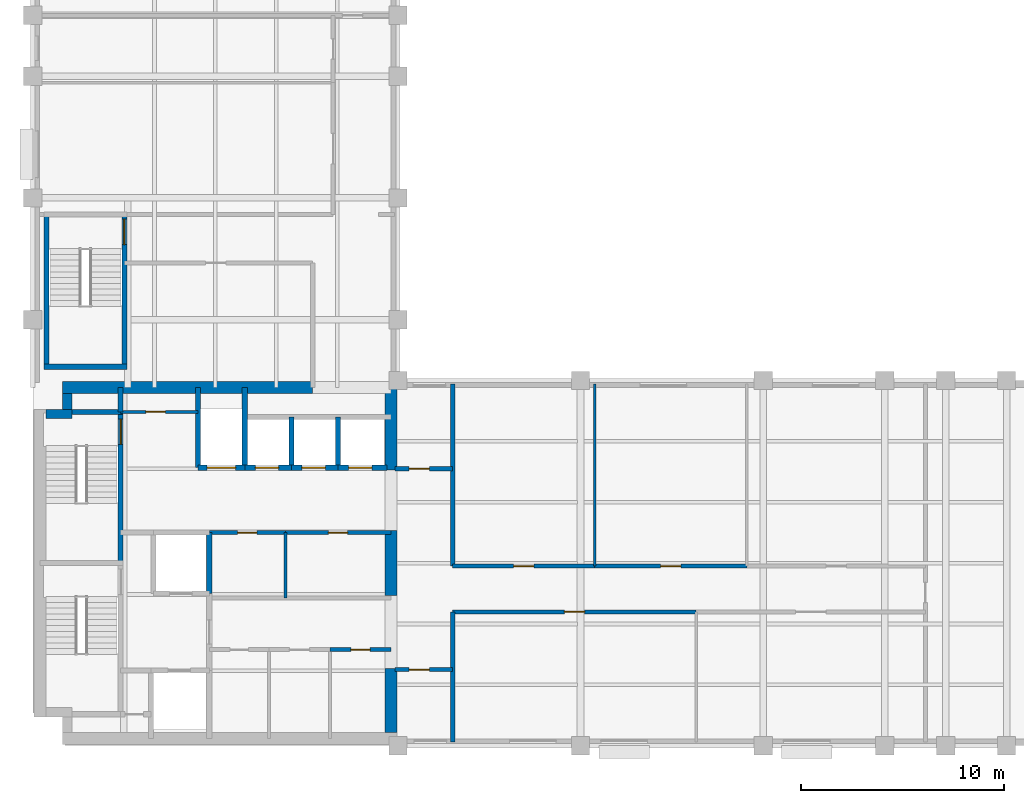
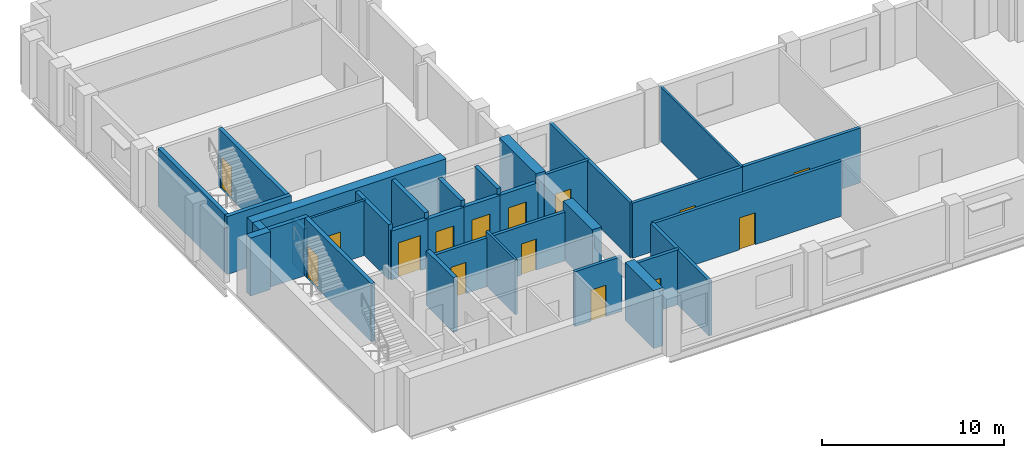
# One storey, part 3 of 7: 34 walls, 15 doors, 15 openings.
"""IFC4 building model written with IfcOpenShell, lengths in metres."""

from ifc_helpers import new_model, si_unit, direction, frame, frame_2d, origin, place, context, subcontext, project, spatial, rectangle, extrude, material, layer, layer_set, type_object, element, fill, save


model = new_model("IFC4")

# Units and contexts
model_context = context("Model", 3, precision=1e-05, world=origin(), true_north=direction((0.0, 1.0)))
body_context = subcontext(model_context, "Body", "Model", "MODEL_VIEW")
ifc_project = project(units=[si_unit("LENGTHUNIT", "METRE"), si_unit("AREAUNIT", "SQUARE_METRE"), si_unit("VOLUMEUNIT", "CUBIC_METRE"), si_unit("PLANEANGLEUNIT", "RADIAN"), si_unit("MASSUNIT", "GRAM", prefix="KILO")], contexts=[model_context])

# Site, building, storey
site_placement = place(None, origin())
site = spatial("IfcSite", under=ifc_project, at=site_placement, CompositionType="ELEMENT")
building_placement = place(site_placement, origin())
building = spatial("IfcBuilding", under=site, at=building_placement, Name="Mawjdan Bourse Tower", CompositionType="ELEMENT")
storey_placement = place(building_placement, frame((0.0, 0.0, 168.300048828125)))
storey = spatial("IfcBuildingStorey", under=building, at=storey_placement, Name="L40", CompositionType="ELEMENT", Elevation=168.300048828125)

# Wall, opening, door
ifc_material_1 = material(Name="Gypsum Fireboard Assembly")
ifc_layer_1 = layer(ifc_material_1, 0.199951171875)
ifc_layer_set_1 = layer_set([ifc_layer_1], Name="Gypsum Fireboard Assembly")
wall_type_1 = type_object("IfcWallType", Name="WL-CMP-200", PredefinedType="PARTITIONING", material=ifc_layer_set_1)
wall_1_placement = place(storey_placement, frame((20.64990234375, 7.739990234375, 0.0), z_axis=(0.0, 0.0, 1.0), x_axis=(1.0, 0.0, 0.0)))
wall_1 = element("IfcWall", 1, at=wall_1_placement, inside=storey, type_object=wall_type_1, Name="L40 Staff Refreshment Pantry North Wall", PredefinedType="PARTITIONING", context=body_context, shape_type="SweptSolid", body=[
    extrude(rectangle(XDim=3.0, YDim=0.199951171875, at=frame_2d((1.5, 0.0))), origin(), (0.0, 0.0, 1.0), 3.68994140625),
])
opening_1_placement = place(wall_1_placement, frame((1.02490234375, 0.0, 0.0)))
opening_1 = element("IfcOpeningElement", 2, at=opening_1_placement, cuts=wall_1, Name="Opening D-L40-15", PredefinedType="OPENING", context=body_context, shape_type="SweptSolid", body=[
    extrude(rectangle(XDim=0.949951171875, YDim=2.10009765625, at=frame_2d((0.47509765625, 1.050048828125))), frame((0.0, 0.10986328125, 0.0), z_axis=(0.0, -1.0, 0.0), x_axis=(1.0, 0.0, 0.0)), (0.0, 0.0, 1.0), 0.219970703125),
])
ifc_material_2 = material(Name="Moisture-Resistant Laminate Timber", Category="wood")
door_type_1 = type_object("IfcDoorType", Name="DR-WET-0950", OperationType="NOTDEFINED", PredefinedType="DOOR", material=ifc_material_2)
door_1_placement = place(opening_1_placement, origin())
door_1 = element("IfcDoor", 3, at=door_1_placement, inside=storey, type_object=door_type_1, Name="L40 Staff Refreshment Pantry Door D-L40-15", OperationType="SINGLE_SWING_LEFT", OverallHeight=2.10009765625, OverallWidth=0.949951171875, PredefinedType="DOOR", context=body_context, shape_type="SweptSolid", body=[
    extrude(rectangle(XDim=0.949951171875, YDim=2.10009765625, at=frame_2d((0.47509765625, 1.050048828125))), frame((0.0, 0.02490234375, 0.0), z_axis=(0.0, -1.0, 0.0), x_axis=(1.0, 0.0, 0.0)), (0.0, 0.0, 1.0), 0.050048828125),
])
fill(opening_1, door_1)

wall_2_placement = place(storey_placement, frame((14.699951171875, 13.5, 0.0), z_axis=(0.0, 0.0, 1.0), x_axis=(1.0, 0.0, 0.0)))
wall_2 = element("IfcWall", 4, at=wall_2_placement, inside=storey, type_object=wall_type_1, Name="L40 Female Restroom North Wall", PredefinedType="PARTITIONING", context=body_context, shape_type="SweptSolid", body=[
    extrude(rectangle(XDim=3.75, YDim=0.199951171875, at=frame_2d((1.875, 0.0))), origin(), (0.0, 0.0, 1.0), 3.282958984375),
])
opening_2_placement = place(wall_2_placement, frame((1.39990234375, 0.0, 0.0)))
opening_2 = element("IfcOpeningElement", 5, at=opening_2_placement, cuts=wall_2, Name="Opening D-L40-16", PredefinedType="OPENING", context=body_context, shape_type="SweptSolid", body=[
    extrude(rectangle(XDim=0.949951171875, YDim=2.10009765625, at=frame_2d((0.47509765625, 1.050048828125))), frame((0.0, 0.10986328125, 0.0), z_axis=(0.0, -1.0, 0.0), x_axis=(1.0, 0.0, 0.0)), (0.0, 0.0, 1.0), 0.219970703125),
])
door_2_placement = place(opening_2_placement, origin())
door_2 = element("IfcDoor", 6, at=door_2_placement, inside=storey, type_object=door_type_1, Name="L40 Female Restroom Door D-L40-16", OperationType="SINGLE_SWING_RIGHT", OverallHeight=2.10009765625, OverallWidth=0.949951171875, PredefinedType="DOOR", context=body_context, shape_type="SweptSolid", body=[
    extrude(rectangle(XDim=0.949951171875, YDim=2.10009765625, at=frame_2d((0.47509765625, 1.050048828125))), frame((0.0, 0.02490234375, 0.0), z_axis=(0.0, -1.0, 0.0), x_axis=(1.0, 0.0, 0.0)), (0.0, 0.0, 1.0), 0.050048828125),
])
fill(opening_2, door_2)

wall_3_placement = place(storey_placement, frame((18.449951171875, 13.5, 0.0), z_axis=(0.0, 0.0, 1.0), x_axis=(1.0, 0.0, 0.0)))
wall_3 = element("IfcWall", 7, at=wall_3_placement, inside=storey, type_object=wall_type_1, Name="L40 Accessible WC North Wall", PredefinedType="PARTITIONING", context=body_context, shape_type="SweptSolid", body=[
    extrude(rectangle(XDim=5.199951171875, YDim=0.199951171875, at=frame_2d((2.60009765625, 0.0))), origin(), (0.0, 0.0, 1.0), 3.282958984375),
])
opening_3_placement = place(wall_3_placement, frame((2.125, 0.0, 0.0)))
opening_3 = element("IfcOpeningElement", 8, at=opening_3_placement, cuts=wall_3, Name="Opening D-L40-17", PredefinedType="OPENING", context=body_context, shape_type="SweptSolid", body=[
    extrude(rectangle(XDim=0.949951171875, YDim=2.10009765625, at=frame_2d((0.47509765625, 1.050048828125))), frame((0.0, 0.10986328125, 0.0), z_axis=(0.0, -1.0, 0.0), x_axis=(1.0, 0.0, 0.0)), (0.0, 0.0, 1.0), 0.219970703125),
])
door_3_placement = place(opening_3_placement, origin())
door_3 = element("IfcDoor", 9, at=door_3_placement, inside=storey, type_object=door_type_1, Name="L40 Accessible WC Door D-L40-17", OperationType="SINGLE_SWING_LEFT", OverallHeight=2.10009765625, OverallWidth=0.949951171875, PredefinedType="DOOR", context=body_context, shape_type="SweptSolid", body=[
    extrude(rectangle(XDim=0.949951171875, YDim=2.10009765625, at=frame_2d((0.47509765625, 1.050048828125))), frame((0.0, 0.02490234375, 0.0), z_axis=(0.0, -1.0, 0.0), x_axis=(1.0, 0.0, 0.0)), (0.0, 0.0, 1.0), 0.050048828125),
])
fill(opening_3, door_3)

wall_4_placement = place(storey_placement, frame((23.85009765625, 6.75, 0.0), z_axis=(0.0, 0.0, 1.0), x_axis=(1.0, 0.0, 0.0)))
wall_4 = element("IfcWall", 10, at=wall_4_placement, inside=storey, type_object=wall_type_1, Name="L40 West Pocket North Wall", PredefinedType="PARTITIONING", context=body_context, shape_type="SweptSolid", body=[
    extrude(rectangle(XDim=2.849853515625, YDim=0.199951171875, at=frame_2d((1.4248046875, 0.0))), origin(), (0.0, 0.0, 1.0), 3.68994140625),
])
opening_4_placement = place(wall_4_placement, frame((0.699951171875, 0.0, 0.0)))
opening_4 = element("IfcOpeningElement", 11, at=opening_4_placement, cuts=wall_4, Name="Opening D-L40-20", PredefinedType="OPENING", context=body_context, shape_type="SweptSolid", body=[
    extrude(rectangle(XDim=1.0, YDim=2.14990234375, at=frame_2d((0.5, 1.074951171875))), frame((0.0, 0.10986328125, 0.0), z_axis=(0.0, -1.0, 0.0), x_axis=(1.0, 0.0, 0.0)), (0.0, 0.0, 1.0), 0.219970703125),
])
ifc_material_3 = material(Name="Hardwood Acoustic Leaf", Category="wood")
door_type_2 = type_object("IfcDoorType", Name="DR-OFC-1000", OperationType="NOTDEFINED", PredefinedType="DOOR", material=ifc_material_3)
door_4_placement = place(opening_4_placement, origin())
door_4 = element("IfcDoor", 12, at=door_4_placement, inside=storey, type_object=door_type_2, Name="L40 West Pocket Office Door D-L40-20", OperationType="SINGLE_SWING_RIGHT", OverallHeight=2.14990234375, OverallWidth=1.0, PredefinedType="DOOR", context=body_context, shape_type="SweptSolid", body=[
    extrude(rectangle(XDim=1.0, YDim=2.14990234375, at=frame_2d((0.5, 1.074951171875))), frame((0.0, 0.02490234375, 0.0), z_axis=(0.0, -1.0, 0.0), x_axis=(1.0, 0.0, 0.0)), (0.0, 0.0, 1.0), 0.050048828125),
])
fill(opening_4, door_4)

wall_5_placement = place(storey_placement, frame((23.85009765625, 16.64990234375, 0.0), z_axis=(0.0, 0.0, 1.0), x_axis=(1.0, 0.0, 0.0)))
wall_5 = element("IfcWall", 13, at=wall_5_placement, inside=storey, type_object=wall_type_1, Name="L40 West North Pocket Wall", PredefinedType="PARTITIONING", context=body_context, shape_type="SweptSolid", body=[
    extrude(rectangle(XDim=2.849853515625, YDim=0.199951171875, at=frame_2d((1.4248046875, 0.0))), origin(), (0.0, 0.0, 1.0), 3.68994140625),
])
opening_5_placement = place(wall_5_placement, frame((0.699951171875, 0.0, 0.0)))
opening_5 = element("IfcOpeningElement", 14, at=opening_5_placement, cuts=wall_5, Name="Opening D-L40-21", PredefinedType="OPENING", context=body_context, shape_type="SweptSolid", body=[
    extrude(rectangle(XDim=1.0, YDim=2.14990234375, at=frame_2d((0.5, 1.074951171875))), frame((0.0, 0.10986328125, 0.0), z_axis=(0.0, -1.0, 0.0), x_axis=(1.0, 0.0, 0.0)), (0.0, 0.0, 1.0), 0.219970703125),
])
door_5_placement = place(opening_5_placement, origin())
door_5 = element("IfcDoor", 15, at=door_5_placement, inside=storey, type_object=door_type_2, Name="L40 West North Pocket Door D-L40-21", OperationType="SINGLE_SWING_LEFT", OverallHeight=2.14990234375, OverallWidth=1.0, PredefinedType="DOOR", context=body_context, shape_type="SweptSolid", body=[
    extrude(rectangle(XDim=1.0, YDim=2.14990234375, at=frame_2d((0.5, 1.074951171875))), frame((0.0, 0.02490234375, 0.0), z_axis=(0.0, -1.0, 0.0), x_axis=(1.0, 0.0, 0.0)), (0.0, 0.0, 1.0), 0.050048828125),
])
fill(opening_5, door_5)

# Walls
wall_6_placement = place(storey_placement, frame((26.699951171875, 3.179931640625, 0.0), z_axis=(0.0, 0.0, 1.0), x_axis=(0.0, 1.0, 0.0)))
element("IfcWall", 16, at=wall_6_placement, inside=storey, type_object=wall_type_1, Name="L40 Vestibule South East Wall", PredefinedType="PARTITIONING", context=body_context, shape_type="SweptSolid", body=[
    extrude(rectangle(XDim=6.420166015625, YDim=0.199951171875, at=frame_2d((3.2099609375, 0.0))), origin(), (0.0, 0.0, 1.0), 3.68994140625),
])
wall_7_placement = place(storey_placement, frame((26.699951171875, 11.85009765625, 0.0), z_axis=(0.0, 0.0, 1.0), x_axis=(0.0, 1.0, 0.0)))
element("IfcWall", 17, at=wall_7_placement, inside=storey, type_object=wall_type_1, Name="L40 Vestibule North East Wall", PredefinedType="PARTITIONING", context=body_context, shape_type="SweptSolid", body=[
    extrude(rectangle(XDim=8.969970703125, YDim=0.199951171875, at=frame_2d((4.48486328125, 0.0))), origin(), (0.0, 0.0, 1.0), 3.68994140625),
])

# Wall, opening, door
wall_8_placement = place(storey_placement, frame((26.699951171875, 9.60009765625, 0.0), z_axis=(0.0, 0.0, 1.0), x_axis=(1.0, 0.0, 0.0)))
wall_8 = element("IfcWall", 18, at=wall_8_placement, inside=storey, type_object=wall_type_1, Name="L40 Central Clearing Suite Corridor Wall", PredefinedType="PARTITIONING", context=body_context, shape_type="SweptSolid", body=[
    extrude(rectangle(XDim=12.0, YDim=0.199951171875, at=frame_2d((6.0, 0.0))), origin(), (0.0, 0.0, 1.0), 3.68994140625),
])
opening_6_placement = place(wall_8_placement, frame((5.5, 0.0, 0.0)))
opening_6 = element("IfcOpeningElement", 19, at=opening_6_placement, cuts=wall_8, Name="Opening D-L40-22", PredefinedType="OPENING", context=body_context, shape_type="SweptSolid", body=[
    extrude(rectangle(XDim=1.0, YDim=2.14990234375, at=frame_2d((0.5, 1.074951171875))), frame((0.0, 0.10986328125, 0.0), z_axis=(0.0, -1.0, 0.0), x_axis=(1.0, 0.0, 0.0)), (0.0, 0.0, 1.0), 0.219970703125),
])
door_6_placement = place(opening_6_placement, origin())
door_6 = element("IfcDoor", 20, at=door_6_placement, inside=storey, type_object=door_type_2, Name="L40 Central Clearing Suite Door D-L40-22", OperationType="SINGLE_SWING_RIGHT", OverallHeight=2.14990234375, OverallWidth=1.0, PredefinedType="DOOR", context=body_context, shape_type="SweptSolid", body=[
    extrude(rectangle(XDim=1.0, YDim=2.14990234375, at=frame_2d((0.5, 1.074951171875))), frame((0.0, 0.02490234375, 0.0), z_axis=(0.0, -1.0, 0.0), x_axis=(1.0, 0.0, 0.0)), (0.0, 0.0, 1.0), 0.050048828125),
])
fill(opening_6, door_6)

wall_9_placement = place(storey_placement, frame((26.699951171875, 11.85009765625, 0.0), z_axis=(0.0, 0.0, 1.0), x_axis=(1.0, 0.0, 0.0)))
wall_9 = element("IfcWall", 21, at=wall_9_placement, inside=storey, type_object=wall_type_1, Name="L40 Executive Office Corridor Wall", PredefinedType="PARTITIONING", context=body_context, shape_type="SweptSolid", body=[
    extrude(rectangle(XDim=7.0, YDim=0.199951171875, at=frame_2d((3.5, 0.0))), origin(), (0.0, 0.0, 1.0), 3.68994140625),
])
opening_7_placement = place(wall_9_placement, frame((3.0, 0.0, 0.0)))
opening_7 = element("IfcOpeningElement", 22, at=opening_7_placement, cuts=wall_9, Name="Opening D-L40-24", PredefinedType="OPENING", context=body_context, shape_type="SweptSolid", body=[
    extrude(rectangle(XDim=1.0, YDim=2.14990234375, at=frame_2d((0.5, 1.074951171875))), frame((0.0, 0.10986328125, 0.0), z_axis=(0.0, -1.0, 0.0), x_axis=(1.0, 0.0, 0.0)), (0.0, 0.0, 1.0), 0.219970703125),
])
door_7_placement = place(opening_7_placement, origin())
door_7 = element("IfcDoor", 23, at=door_7_placement, inside=storey, type_object=door_type_2, Name="L40 Executive Office Door D-L40-24", OperationType="SINGLE_SWING_LEFT", OverallHeight=2.14990234375, OverallWidth=1.0, PredefinedType="DOOR", context=body_context, shape_type="SweptSolid", body=[
    extrude(rectangle(XDim=1.0, YDim=2.14990234375, at=frame_2d((0.5, 1.074951171875))), frame((0.0, 0.02490234375, 0.0), z_axis=(0.0, -1.0, 0.0), x_axis=(1.0, 0.0, 0.0)), (0.0, 0.0, 1.0), 0.050048828125),
])
fill(opening_7, door_7)

wall_10_placement = place(storey_placement, frame((33.699951171875, 11.85009765625, 0.0), z_axis=(0.0, 0.0, 1.0), x_axis=(1.0, 0.0, 0.0)))
wall_10 = element("IfcWall", 24, at=wall_10_placement, inside=storey, type_object=wall_type_1, Name="L40 Settlement Risk Office Corridor Wall", PredefinedType="PARTITIONING", context=body_context, shape_type="SweptSolid", body=[
    extrude(rectangle(XDim=7.5, YDim=0.199951171875, at=frame_2d((3.75, 0.0))), origin(), (0.0, 0.0, 1.0), 3.68994140625),
])
opening_8_placement = place(wall_10_placement, frame((3.25, 0.0, 0.0)))
opening_8 = element("IfcOpeningElement", 25, at=opening_8_placement, cuts=wall_10, Name="Opening D-L40-25", PredefinedType="OPENING", context=body_context, shape_type="SweptSolid", body=[
    extrude(rectangle(XDim=1.0, YDim=2.14990234375, at=frame_2d((0.5, 1.074951171875))), frame((0.0, 0.10986328125, 0.0), z_axis=(0.0, -1.0, 0.0), x_axis=(1.0, 0.0, 0.0)), (0.0, 0.0, 1.0), 0.219970703125),
])
door_8_placement = place(opening_8_placement, origin())
door_8 = element("IfcDoor", 26, at=door_8_placement, inside=storey, type_object=door_type_2, Name="L40 Settlement Risk Office Door D-L40-25", OperationType="SINGLE_SWING_RIGHT", OverallHeight=2.14990234375, OverallWidth=1.0, PredefinedType="DOOR", context=body_context, shape_type="SweptSolid", body=[
    extrude(rectangle(XDim=1.0, YDim=2.14990234375, at=frame_2d((0.5, 1.074951171875))), frame((0.0, 0.02490234375, 0.0), z_axis=(0.0, -1.0, 0.0), x_axis=(1.0, 0.0, 0.0)), (0.0, 0.0, 1.0), 0.050048828125),
])
fill(opening_8, door_8)

# Walls
ifc_material_4 = material(Name="Concrete C60/75", Category="concrete")
ifc_layer_2 = layer(ifc_material_4, 0.449951171875)
ifc_layer_set_2 = layer_set([ifc_layer_2], Name="Concrete C60/75")
wall_type_2 = type_object("IfcWallType", Name="WL-CORE-450", PredefinedType="SHEAR", material=ifc_layer_set_2)
wall_11_placement = place(storey_placement, frame((6.64990234375, 19.35009765625, 0.0), z_axis=(0.0, 0.0, 1.0), x_axis=(1.0, 0.0, 0.0)))
element("IfcWall", 27, at=wall_11_placement, inside=storey, type_object=wall_type_2, Name="L40 Rear Core Shear Wall NW-X", PredefinedType="SHEAR", context=body_context, shape_type="SweptSolid", body=[
    extrude(rectangle(XDim=1.275146484375, YDim=0.449951171875, at=frame_2d((0.6376953125, 0.0))), origin(), (0.0, 0.0, 1.0), 3.89990234375),
])
wall_12_placement = place(storey_placement, frame((7.699951171875, 19.574951171875, 0.0), z_axis=(0.0, 0.0, 1.0), x_axis=(0.0, 1.0, 0.0)))
element("IfcWall", 28, at=wall_12_placement, inside=storey, type_object=wall_type_2, Name="L40 Rear Core Shear Wall NW-Y", PredefinedType="SHEAR", context=body_context, shape_type="SweptSolid", body=[
    extrude(rectangle(XDim=0.775146484375, YDim=0.449951171875, at=frame_2d((0.3876953125, 0.0))), origin(), (0.0, 0.0, 1.0), 3.89990234375),
])
ifc_material_5 = material(Name="Concrete C70/85", Category="concrete")
ifc_layer_3 = layer(ifc_material_5, 0.60009765625)
ifc_layer_set_3 = layer_set([ifc_layer_3], Name="Concrete C70/85")
wall_type_3 = type_object("IfcWallType", Name="WL-CORE-600", PredefinedType="SHEAR", material=ifc_layer_set_3)
wall_13_placement = place(storey_placement, frame((7.47509765625, 20.64990234375, 0.0), z_axis=(0.0, 0.0, 1.0), x_axis=(1.0, 0.0, 0.0)))
element("IfcWall", 29, at=wall_13_placement, inside=storey, type_object=wall_type_3, Name="L40 Rear Core Shear Wall N", PredefinedType="SHEAR", context=body_context, shape_type="SweptSolid", body=[
    extrude(rectangle(XDim=12.324951171875, YDim=0.60009765625, at=frame_2d((6.16259765625, 0.0))), origin(), (0.0, 0.0, 1.0), 3.89990234375),
])
wall_14_placement = place(storey_placement, frame((23.64990234375, 3.64990234375, 0.0), z_axis=(0.0, 0.0, 1.0), x_axis=(0.0, 1.0, 0.0)))
element("IfcWall", 30, at=wall_14_placement, inside=storey, type_object=wall_type_3, Name="L40 Rear Core Shear Wall E1", PredefinedType="SHEAR", context=body_context, shape_type="SweptSolid", body=[
    extrude(rectangle(XDim=3.150146484375, YDim=0.60009765625, at=frame_2d((1.5751953125, 0.0))), origin(), (0.0, 0.0, 1.0), 3.89990234375),
])
wall_15_placement = place(storey_placement, frame((23.64990234375, 10.39990234375, 0.0), z_axis=(0.0, 0.0, 1.0), x_axis=(0.0, 1.0, 0.0)))
element("IfcWall", 31, at=wall_15_placement, inside=storey, type_object=wall_type_3, Name="L40 Rear Core Shear Wall E2", PredefinedType="SHEAR", context=body_context, shape_type="SweptSolid", body=[
    extrude(rectangle(XDim=3.2001953125, YDim=0.60009765625, at=frame_2d((1.60009765625, 0.0))), origin(), (0.0, 0.0, 1.0), 3.89990234375),
])
wall_16_placement = place(storey_placement, frame((23.64990234375, 16.60009765625, 0.0), z_axis=(0.0, 0.0, 1.0), x_axis=(0.0, 1.0, 0.0)))
element("IfcWall", 32, at=wall_16_placement, inside=storey, type_object=wall_type_3, Name="L40 Rear Core Shear Wall E3", PredefinedType="SHEAR", context=body_context, shape_type="SweptSolid", body=[
    extrude(rectangle(XDim=4.0498046875, YDim=0.60009765625, at=frame_2d((2.02490234375, 0.0))), origin(), (0.0, 0.0, 1.0), 3.89990234375),
])
ifc_material_6 = material(Name="Gypsum Partition")
ifc_layer_4 = layer(ifc_material_6, 0.125)
ifc_layer_set_4 = layer_set([ifc_layer_4], Name="Gypsum Partition")
wall_type_4 = type_object("IfcWallType", Name="WL-PRT-125", PredefinedType="PARTITIONING", material=ifc_layer_set_4)
wall_17_placement = place(storey_placement, frame((33.699951171875, 11.85009765625, 0.0), z_axis=(0.0, 0.0, 1.0), x_axis=(0.0, 1.0, 0.0)))
element("IfcWall", 33, at=wall_17_placement, inside=storey, type_object=wall_type_4, Name="L40 Settlement Risk Office Partition", PredefinedType="PARTITIONING", context=body_context, shape_type="SweptSolid", body=[
    extrude(rectangle(XDim=8.969970703125, YDim=0.125, at=frame_2d((4.48486328125, 0.0))), origin(), (0.0, 0.0, 1.0), 3.68994140625),
])
ifc_material_7 = material(Name="Gypsum Acoustic Partition")
ifc_layer_5 = layer(ifc_material_7, 0.14990234375)
ifc_layer_set_5 = layer_set([ifc_layer_5], Name="Gypsum Acoustic Partition")
wall_type_5 = type_object("IfcWallType", Name="WL-PRT-150", PredefinedType="PARTITIONING", material=ifc_layer_set_5)
wall_18_placement = place(storey_placement, frame((18.449951171875, 10.280029296875, 0.0), z_axis=(0.0, 0.0, 1.0), x_axis=(0.0, 1.0, 0.0)))
element("IfcWall", 34, at=wall_18_placement, inside=storey, type_object=wall_type_5, Name="L40 Accessible WC Split Wall", PredefinedType="PARTITIONING", context=body_context, shape_type="SweptSolid", body=[
    extrude(rectangle(XDim=3.219970703125, YDim=0.14990234375, at=frame_2d((1.60986328125, 0.0))), origin(), (0.0, 0.0, 1.0), 3.68994140625),
])

# Wall, opening, door
wall_19_placement = place(storey_placement, frame((10.330078125, 19.449951171875, 0.0), z_axis=(0.0, 0.0, 1.0), x_axis=(1.0, 0.0, 0.0)))
wall_19 = element("IfcWall", 35, at=wall_19_placement, inside=storey, type_object=wall_type_5, Name="L40 Housekeeping South Wall", PredefinedType="PARTITIONING", context=body_context, shape_type="SweptSolid", body=[
    extrude(rectangle(XDim=3.81982421875, YDim=0.14990234375, at=frame_2d((1.909912109375, 0.0))), origin(), (0.0, 0.0, 1.0), 3.68994140625),
])
opening_9_placement = place(wall_19_placement, frame((1.25, 0.0, 0.0)))
opening_9 = element("IfcOpeningElement", 36, at=opening_9_placement, cuts=wall_19, Name="Opening D-L40-18", PredefinedType="OPENING", context=body_context, shape_type="SweptSolid", body=[
    extrude(rectangle(XDim=0.949951171875, YDim=2.10009765625, at=frame_2d((0.47509765625, 1.050048828125))), frame((0.0, 0.0849609375, 0.0), z_axis=(0.0, -1.0, 0.0), x_axis=(1.0, 0.0, 0.0)), (0.0, 0.0, 1.0), 0.169921875),
])
door_9_placement = place(opening_9_placement, origin())
door_9 = element("IfcDoor", 37, at=door_9_placement, inside=storey, type_object=door_type_1, Name="L40 Housekeeping Closet Door D-L40-18", OperationType="SINGLE_SWING_RIGHT", OverallHeight=2.10009765625, OverallWidth=0.949951171875, PredefinedType="DOOR", context=body_context, shape_type="SweptSolid", body=[
    extrude(rectangle(XDim=0.949951171875, YDim=2.10009765625, at=frame_2d((0.47509765625, 1.050048828125))), frame((0.0, 0.02490234375, 0.0), z_axis=(0.0, -1.0, 0.0), x_axis=(1.0, 0.0, 0.0)), (0.0, 0.0, 1.0), 0.050048828125),
])
fill(opening_9, door_9)

# Walls
ifc_material_8 = material(Name="Concrete C50/60", Category="concrete")
ifc_layer_6 = layer(ifc_material_8, 0.25)
ifc_layer_set_6 = layer_set([ifc_layer_6], Name="Concrete C50/60")
wall_type_6 = type_object("IfcWallType", Name="WL-SHFT-250", PredefinedType="PARTITIONING", material=ifc_layer_set_6)
wall_20_placement = place(storey_placement, frame((10.330078125, 19.449951171875, 0.0), z_axis=(0.0, 0.0, 1.0), x_axis=(0.0, 1.0, 0.0)))
element("IfcWall", 38, at=wall_20_placement, inside=storey, type_object=wall_type_6, Name="L40 NW Riser East Wall", PredefinedType="PARTITIONING", context=body_context, shape_type="SweptSolid", body=[
    extrude(rectangle(XDim=1.199951171875, YDim=0.25, at=frame_2d((0.60009765625, 0.0))), origin(), (0.0, 0.0, 1.0), 3.072998046875),
])
wall_21_placement = place(storey_placement, frame((14.699951171875, 10.5, 0.0), z_axis=(0.0, 0.0, 1.0), x_axis=(0.0, 1.0, 0.0)))
element("IfcWall", 39, at=wall_21_placement, inside=storey, type_object=wall_type_6, Name="L40 FFL-02 East Shaft Wall", PredefinedType="PARTITIONING", context=body_context, shape_type="SweptSolid", body=[
    extrude(rectangle(XDim=3.0, YDim=0.25, at=frame_2d((1.5, 0.0))), origin(), (0.0, 0.0, 1.0), 3.68994140625),
])

# Wall, opening, door
wall_22_placement = place(storey_placement, frame((14.14990234375, 16.699951171875, 0.0), z_axis=(0.0, 0.0, 1.0), x_axis=(1.0, 0.0, 0.0)))
wall_22 = element("IfcWall", 40, at=wall_22_placement, inside=storey, type_object=wall_type_6, Name="L40 SVL-01 Front Shaft Wall", PredefinedType="PARTITIONING", context=body_context, shape_type="SweptSolid", body=[
    extrude(rectangle(XDim=2.300048828125, YDim=0.25, at=frame_2d((1.14990234375, 0.0))), origin(), (0.0, 0.0, 1.0), 3.282958984375),
])
opening_10_placement = place(wall_22_placement, frame((0.449951171875, 0.0, 0.0)))
opening_10 = element("IfcOpeningElement", 41, at=opening_10_placement, cuts=wall_22, Name="Opening LD-L40-09", PredefinedType="OPENING", context=body_context, shape_type="SweptSolid", body=[
    extrude(rectangle(XDim=1.39990234375, YDim=2.35009765625, at=frame_2d((0.699951171875, 1.175048828125))), frame((0.0, 0.135009765625, 0.0), z_axis=(0.0, -1.0, 0.0), x_axis=(1.0, 0.0, 0.0)), (0.0, 0.0, 1.0), 0.27001953125),
])
ifc_material_9 = material(Name="Heavy-Duty Stainless Steel", Category="steel")
door_type_3 = type_object("IfcDoorType", Name="LD-SRV-1400", OperationType="DOUBLE_DOOR_SLIDING", PredefinedType="DOOR", material=ifc_material_9)
door_10_placement = place(opening_10_placement, origin())
door_10 = element("IfcDoor", 42, at=door_10_placement, inside=storey, type_object=door_type_3, Name="L40 Service Lift SVL-01 Landing Door LD-L40-09", OperationType="DOUBLE_DOOR_SLIDING", OverallHeight=2.35009765625, OverallWidth=1.39990234375, PredefinedType="DOOR", context=body_context, shape_type="SweptSolid", body=[
    extrude(rectangle(XDim=1.39990234375, YDim=2.35009765625, at=frame_2d((0.699951171875, 1.175048828125))), frame((0.0, 0.02490234375, 0.0), z_axis=(0.0, -1.0, 0.0), x_axis=(1.0, 0.0, 0.0)), (0.0, 0.0, 1.0), 0.050048828125),
])
fill(opening_10, door_10)

# Walls
for number, where, z_axis, x_axis, name in (
    (43, (14.14990234375, 16.699951171875, 0.0), (0.0, 0.0, 1.0), (0.0, 1.0, 0.0), "L40 SVL-01 West Shaft Wall"),
    (44, (16.449951171875, 16.699951171875, 0.0), (0.0, 0.0, 1.0), (0.0, 1.0, 0.0), "L40 SVL-01 East Shaft Wall"),
):
    element("IfcWall", number, at=place(storey_placement, frame(where, z_axis=z_axis, x_axis=x_axis)), inside=storey, type_object=wall_type_6, Name=name, PredefinedType="PARTITIONING", context=body_context, shape_type="SweptSolid", body=[
        extrude(rectangle(XDim=3.949951171875, YDim=0.25, at=frame_2d((1.97509765625, 0.0))), origin(), (0.0, 0.0, 1.0), 3.68994140625),
    ])

# Wall, opening, door
wall_23_placement = place(storey_placement, frame((16.449951171875, 16.699951171875, 0.0), z_axis=(0.0, 0.0, 1.0), x_axis=(1.0, 0.0, 0.0)))
wall_23 = element("IfcWall", 45, at=wall_23_placement, inside=storey, type_object=wall_type_6, Name="L40 PH-01 Front Wall", PredefinedType="PARTITIONING", context=body_context, shape_type="SweptSolid", body=[
    extrude(rectangle(XDim=2.300048828125, YDim=0.25, at=frame_2d((1.14990234375, 0.0))), origin(), (0.0, 0.0, 1.0), 3.282958984375),
])
opening_11_placement = place(wall_23_placement, frame((0.52001953125, 0.0, 0.0)))
opening_11 = element("IfcOpeningElement", 46, at=opening_11_placement, cuts=wall_23, Name="Opening LD-L40-10", PredefinedType="OPENING", context=body_context, shape_type="SweptSolid", body=[
    extrude(rectangle(XDim=1.14990234375, YDim=2.25, at=frame_2d((0.574951171875, 1.125))), frame((0.0, 0.135009765625, 0.0), z_axis=(0.0, -1.0, 0.0), x_axis=(1.0, 0.0, 0.0)), (0.0, 0.0, 1.0), 0.27001953125),
])
ifc_material_10 = material(Name="Brushed Stainless Steel", Category="steel")
door_type_4 = type_object("IfcDoorType", Name="LD-PAS-1150", OperationType="DOUBLE_DOOR_SLIDING", PredefinedType="DOOR", material=ifc_material_10)
door_11_placement = place(opening_11_placement, origin())
door_11 = element("IfcDoor", 47, at=door_11_placement, inside=storey, type_object=door_type_4, Name="L40 Lift PH-01 Landing Door LD-L40-10", OperationType="DOUBLE_DOOR_SLIDING", OverallHeight=2.25, OverallWidth=1.14990234375, PredefinedType="DOOR", context=body_context, shape_type="SweptSolid", body=[
    extrude(rectangle(XDim=1.14990234375, YDim=2.25, at=frame_2d((0.574951171875, 1.125))), frame((0.0, 0.02490234375, 0.0), z_axis=(0.0, -1.0, 0.0), x_axis=(1.0, 0.0, 0.0)), (0.0, 0.0, 1.0), 0.050048828125),
])
fill(opening_11, door_11)

# Wall
wall_24_placement = place(storey_placement, frame((18.75, 16.699951171875, 0.0), z_axis=(0.0, 0.0, 1.0), x_axis=(0.0, 1.0, 0.0)))
element("IfcWall", 48, at=wall_24_placement, inside=storey, type_object=wall_type_6, Name="L40 PH-01 Divider Wall", PredefinedType="PARTITIONING", context=body_context, shape_type="SweptSolid", body=[
    extrude(rectangle(XDim=2.5, YDim=0.25, at=frame_2d((1.25, 0.0))), origin(), (0.0, 0.0, 1.0), 3.68994140625),
])

# Wall, opening, door
wall_25_placement = place(storey_placement, frame((18.75, 16.699951171875, 0.0), z_axis=(0.0, 0.0, 1.0), x_axis=(1.0, 0.0, 0.0)))
wall_25 = element("IfcWall", 49, at=wall_25_placement, inside=storey, type_object=wall_type_6, Name="L40 PH-02 Front Wall", PredefinedType="PARTITIONING", context=body_context, shape_type="SweptSolid", body=[
    extrude(rectangle(XDim=2.300048828125, YDim=0.25, at=frame_2d((1.14990234375, 0.0))), origin(), (0.0, 0.0, 1.0), 3.282958984375),
])
opening_12_placement = place(wall_25_placement, frame((0.52001953125, 0.0, 0.0)))
opening_12 = element("IfcOpeningElement", 50, at=opening_12_placement, cuts=wall_25, Name="Opening LD-L40-11", PredefinedType="OPENING", context=body_context, shape_type="SweptSolid", body=[
    extrude(rectangle(XDim=1.14990234375, YDim=2.25, at=frame_2d((0.574951171875, 1.125))), frame((0.0, 0.135009765625, 0.0), z_axis=(0.0, -1.0, 0.0), x_axis=(1.0, 0.0, 0.0)), (0.0, 0.0, 1.0), 0.27001953125),
])
door_12_placement = place(opening_12_placement, origin())
door_12 = element("IfcDoor", 51, at=door_12_placement, inside=storey, type_object=door_type_4, Name="L40 Lift PH-02 Landing Door LD-L40-11", OperationType="DOUBLE_DOOR_SLIDING", OverallHeight=2.25, OverallWidth=1.14990234375, PredefinedType="DOOR", context=body_context, shape_type="SweptSolid", body=[
    extrude(rectangle(XDim=1.14990234375, YDim=2.25, at=frame_2d((0.574951171875, 1.125))), frame((0.0, 0.02490234375, 0.0), z_axis=(0.0, -1.0, 0.0), x_axis=(1.0, 0.0, 0.0)), (0.0, 0.0, 1.0), 0.050048828125),
])
fill(opening_12, door_12)

# Wall
wall_26_placement = place(storey_placement, frame((21.050048828125, 16.699951171875, 0.0), z_axis=(0.0, 0.0, 1.0), x_axis=(0.0, 1.0, 0.0)))
element("IfcWall", 52, at=wall_26_placement, inside=storey, type_object=wall_type_6, Name="L40 PH-02 Divider Wall", PredefinedType="PARTITIONING", context=body_context, shape_type="SweptSolid", body=[
    extrude(rectangle(XDim=2.5, YDim=0.25, at=frame_2d((1.25, 0.0))), origin(), (0.0, 0.0, 1.0), 3.68994140625),
])

# Wall, opening, door
wall_27_placement = place(storey_placement, frame((21.050048828125, 16.699951171875, 0.0), z_axis=(0.0, 0.0, 1.0), x_axis=(1.0, 0.0, 0.0)))
wall_27 = element("IfcWall", 53, at=wall_27_placement, inside=storey, type_object=wall_type_6, Name="L40 PH-03 Front Wall", PredefinedType="PARTITIONING", context=body_context, shape_type="SweptSolid", body=[
    extrude(rectangle(XDim=2.39990234375, YDim=0.25, at=frame_2d((1.199951171875, 0.0))), origin(), (0.0, 0.0, 1.0), 3.282958984375),
])
opening_13_placement = place(wall_27_placement, frame((0.52001953125, 0.0, 0.0)))
opening_13 = element("IfcOpeningElement", 54, at=opening_13_placement, cuts=wall_27, Name="Opening LD-L40-12", PredefinedType="OPENING", context=body_context, shape_type="SweptSolid", body=[
    extrude(rectangle(XDim=1.14990234375, YDim=2.25, at=frame_2d((0.574951171875, 1.125))), frame((0.0, 0.135009765625, 0.0), z_axis=(0.0, -1.0, 0.0), x_axis=(1.0, 0.0, 0.0)), (0.0, 0.0, 1.0), 0.27001953125),
])
door_13_placement = place(opening_13_placement, origin())
door_13 = element("IfcDoor", 55, at=door_13_placement, inside=storey, type_object=door_type_4, Name="L40 Lift PH-03 Landing Door LD-L40-12", OperationType="DOUBLE_DOOR_SLIDING", OverallHeight=2.25, OverallWidth=1.14990234375, PredefinedType="DOOR", context=body_context, shape_type="SweptSolid", body=[
    extrude(rectangle(XDim=1.14990234375, YDim=2.25, at=frame_2d((0.574951171875, 1.125))), frame((0.0, 0.02490234375, 0.0), z_axis=(0.0, -1.0, 0.0), x_axis=(1.0, 0.0, 0.0)), (0.0, 0.0, 1.0), 0.050048828125),
])
fill(opening_13, door_13)

# Wall
ifc_layer_7 = layer(ifc_material_8, 0.25)
ifc_layer_set_7 = layer_set([ifc_layer_7], Name="Concrete C50/60")
wall_type_7 = type_object("IfcWallType", Name="WL-STRW-250", PredefinedType="SHEAR", material=ifc_layer_set_7)
wall_28_placement = place(storey_placement, frame((7.699951171875, 19.449951171875, 0.0), z_axis=(0.0, 0.0, 1.0), x_axis=(1.0, 0.0, 0.0)))
element("IfcWall", 56, at=wall_28_placement, inside=storey, type_object=wall_type_7, Name="L40 Stairwell ST2 North Shaft Wall", PredefinedType="SHEAR", context=body_context, shape_type="SweptSolid", body=[
    extrude(rectangle(XDim=2.755126953125, YDim=0.25, at=frame_2d((1.37744140625, 0.0))), origin(), (0.0, 0.0, 1.0), 3.89990234375),
])

# Wall, opening, door
wall_29_placement = place(storey_placement, frame((10.330078125, 12.0, 0.0), z_axis=(0.0, 0.0, 1.0), x_axis=(0.0, 1.0, 0.0)))
wall_29 = element("IfcWall", 57, at=wall_29_placement, inside=storey, type_object=wall_type_7, Name="L40 Stairwell ST2 East Enclosure Wall", PredefinedType="SHEAR", context=body_context, shape_type="SweptSolid", body=[
    extrude(rectangle(XDim=7.449951171875, YDim=0.25, at=frame_2d((3.72509765625, 0.0))), origin(), (0.0, 0.0, 1.0), 3.89990234375),
])
opening_14_placement = place(wall_29_placement, frame((5.85009765625, 0.0, 0.0)))
opening_14 = element("IfcOpeningElement", 58, at=opening_14_placement, cuts=wall_29, Name="Opening SD-L40-02", PredefinedType="OPENING", context=body_context, shape_type="SweptSolid", body=[
    extrude(rectangle(XDim=1.25, YDim=2.199951171875, at=frame_2d((0.625, 1.10009765625))), frame((0.0, 0.135009765625, 0.0), z_axis=(0.0, -1.0, 0.0), x_axis=(1.0, 0.0, 0.0)), (0.0, 0.0, 1.0), 0.27001953125),
])
ifc_material_11 = material(Name="Fire-Rated Steel Leaf", Category="steel")
door_type_5 = type_object("IfcDoorType", Name="FD-ST-1250", OperationType="NOTDEFINED", PredefinedType="DOOR", material=ifc_material_11)
door_14_placement = place(opening_14_placement, origin())
door_14 = element("IfcDoor", 59, at=door_14_placement, inside=storey, type_object=door_type_5, Name="L40 Exit Stair ST2 Fire Door SD-L40-02", OperationType="SINGLE_SWING_RIGHT", OverallHeight=2.199951171875, OverallWidth=1.25, PredefinedType="DOOR", context=body_context, shape_type="SweptSolid", body=[
    extrude(rectangle(XDim=1.25, YDim=2.199951171875, at=frame_2d((0.625, 1.10009765625))), frame((0.0, 0.02490234375, 0.0), z_axis=(0.0, -1.0, 0.0), x_axis=(1.0, 0.0, 0.0)), (0.0, 0.0, 1.0), 0.050048828125),
])
fill(opening_14, door_14)

# Walls
wall_30_placement = place(storey_placement, frame((6.554931640625, 21.679931640625, 0.0), z_axis=(0.0, 0.0, 1.0), x_axis=(1.0, 0.0, 0.0)))
element("IfcWall", 60, at=wall_30_placement, inside=storey, type_object=wall_type_7, Name="L40 ST3 South Shaft Wall", PredefinedType="SHEAR", context=body_context, shape_type="SweptSolid", body=[
    extrude(rectangle(XDim=4.090087890625, YDim=0.25, at=frame_2d((2.044921875, 0.0))), origin(), (0.0, 0.0, 1.0), 3.89990234375),
])
wall_31_placement = place(storey_placement, frame((6.679931640625, 21.679931640625, 0.0), z_axis=(0.0, 0.0, 1.0), x_axis=(0.0, 1.0, 0.0)))
element("IfcWall", 61, at=wall_31_placement, inside=storey, type_object=wall_type_7, Name="L40 ST3 West Shaft Wall", PredefinedType="SHEAR", context=body_context, shape_type="SweptSolid", body=[
    extrude(rectangle(XDim=7.5, YDim=0.25, at=frame_2d((3.75, 0.0))), origin(), (0.0, 0.0, 1.0), 3.89990234375),
])

# Wall, opening, door
wall_32_placement = place(storey_placement, frame((10.52001953125, 21.679931640625, 0.0), z_axis=(0.0, 0.0, 1.0), x_axis=(0.0, 1.0, 0.0)))
wall_32 = element("IfcWall", 62, at=wall_32_placement, inside=storey, type_object=wall_type_7, Name="L40 ST3 East Shaft Wall", PredefinedType="SHEAR", context=body_context, shape_type="SweptSolid", body=[
    extrude(rectangle(XDim=7.5, YDim=0.25, at=frame_2d((3.75, 0.0))), origin(), (0.0, 0.0, 1.0), 3.89990234375),
])
opening_15_placement = place(wall_32_placement, frame((6.02001953125, 0.0, 0.0)))
opening_15 = element("IfcOpeningElement", 63, at=opening_15_placement, cuts=wall_32, Name="Opening SD-L40-19", PredefinedType="OPENING", context=body_context, shape_type="SweptSolid", body=[
    extrude(rectangle(XDim=1.25, YDim=2.199951171875, at=frame_2d((0.625, 1.10009765625))), frame((0.0, 0.135009765625, 0.0), z_axis=(0.0, -1.0, 0.0), x_axis=(1.0, 0.0, 0.0)), (0.0, 0.0, 1.0), 0.27001953125),
])
door_15_placement = place(opening_15_placement, origin())
door_15 = element("IfcDoor", 64, at=door_15_placement, inside=storey, type_object=door_type_5, Name="L40 Stair ST3 Fire Door SD-L40-19", OperationType="SINGLE_SWING_LEFT", OverallHeight=2.199951171875, OverallWidth=1.25, PredefinedType="DOOR", context=body_context, shape_type="SweptSolid", body=[
    extrude(rectangle(XDim=1.25, YDim=2.199951171875, at=frame_2d((0.625, 1.10009765625))), frame((0.0, 0.02490234375, 0.0), z_axis=(0.0, -1.0, 0.0), x_axis=(1.0, 0.0, 0.0)), (0.0, 0.0, 1.0), 0.050048828125),
])
fill(opening_15, door_15)

save(model, "model.ifc")
